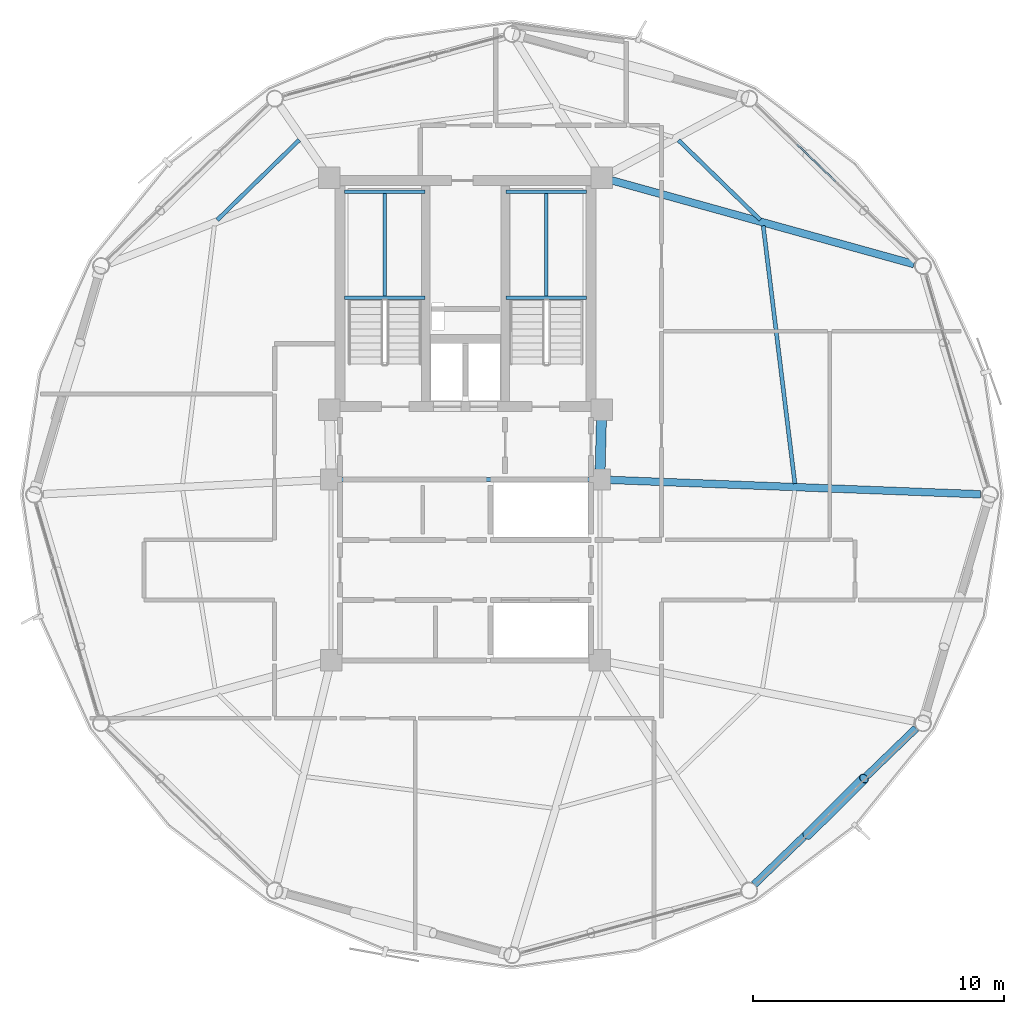
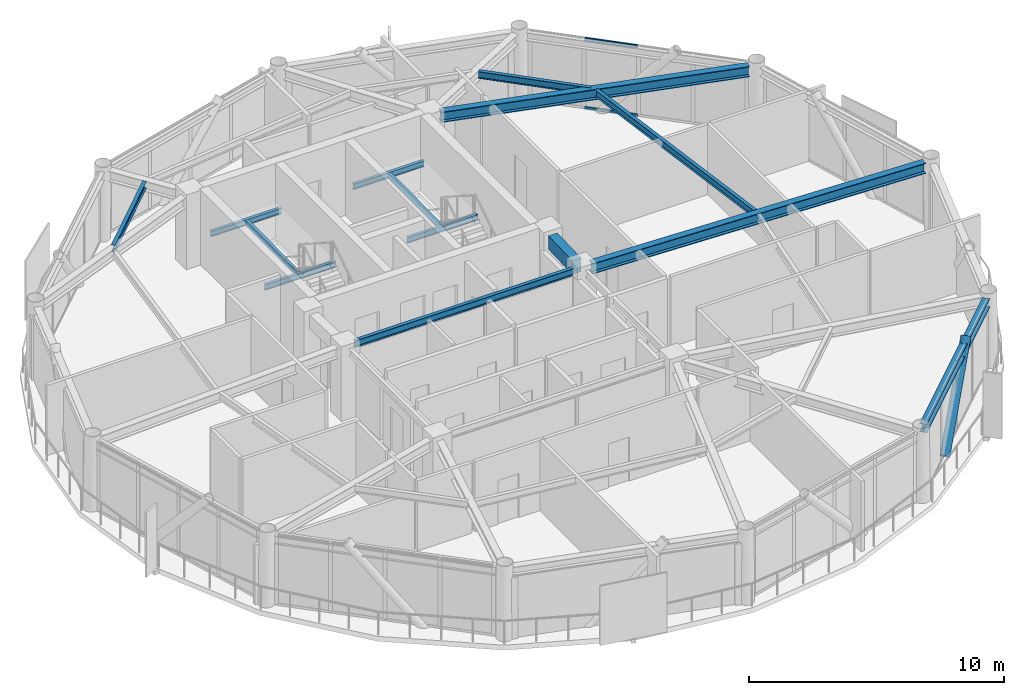
# One storey, part 13 of 26: 14 beams, 3 members, 1 element without a shape of its own.
"""IFC4 building model written with IfcOpenShell, lengths in metres."""

from ifc_helpers import new_model, si_unit, direction, frame, origin, origin_2d, place, context, subcontext, project, spatial, rectangle, hollow_rectangle, hollow_circle, i_section, extrude, material, layer, layer_set, material_profile, profile_set, type_object, element, aggregate, save


model = new_model("IFC4")

# Units and contexts
model_context = context("Model", 3, precision=1e-05, world=origin(), true_north=direction((0.0, 1.0)))
body_context = subcontext(model_context, "Body", "Model", "MODEL_VIEW")
ifc_project = project(units=[si_unit("LENGTHUNIT", "METRE"), si_unit("AREAUNIT", "SQUARE_METRE"), si_unit("VOLUMEUNIT", "CUBIC_METRE"), si_unit("PLANEANGLEUNIT", "RADIAN"), si_unit("MASSUNIT", "GRAM", prefix="KILO")], contexts=[model_context])

# Site, building, storey
site_placement = place(None, origin())
site = spatial("IfcSite", under=ifc_project, at=site_placement, CompositionType="ELEMENT")
building_placement = place(site_placement, origin())
building = spatial("IfcBuilding", under=site, at=building_placement, Name="Varnakorn Sky Granary", CompositionType="ELEMENT")
storey_placement = place(building_placement, frame((0.0, 0.0, 218.39990234375)))
storey = spatial("IfcBuildingStorey", under=building, at=storey_placement, Name="L55", CompositionType="ELEMENT", Elevation=218.39990234375)

# Beams
ifc_material_1 = material(Name="Concrete C50/60", Category="concrete")
ifc_material_profile_1 = material_profile(ifc_material_1, rectangle(XDim=0.39990234375, YDim=0.64990234375, at=origin_2d()), Name="RC 400x650")
ifc_profile_set_1 = profile_set([ifc_material_profile_1], Name="Concrete C50/60")
beam_type_1 = type_object("IfcBeamType", Name="BM-LIN-650", PredefinedType="LINTEL", material=ifc_profile_set_1)
beam_1_placement = place(storey_placement, frame((8.409912109375, 2.97509765625, 3.03515625), z_axis=(-0.025270737467, -0.99968064392, 0.0), x_axis=(0.99968064392, -0.025270737467, 0.0)))
element("IfcBeam", 1, at=beam_1_placement, inside=storey, type_object=beam_type_1, Name="Core Spine Framing Beam 2 L55", PredefinedType="LINTEL", context=body_context, shape_type="SweptSolid", body=[
    extrude(rectangle(XDim=0.39990234375, YDim=0.64990234375, at=origin_2d()), origin(), (0.0, 0.0, 1.0), 1.970947265625),
])
ifc_material_2 = material(Name="Steel S355JR", Category="steel")
ifc_material_profile_2 = material_profile(ifc_material_2, i_section(OverallWidth=0.135009765625, OverallDepth=0.27001953125, WebThickness=0.006591796875, FlangeThickness=0.01025390625, at=origin_2d()), Name="IPE 270")
ifc_profile_set_2 = profile_set([ifc_material_profile_2], Name="Steel S355JR")
beam_type_2 = type_object("IfcBeamType", Name="BM-LND-270", PredefinedType="BEAM", material=ifc_profile_set_2)
for number, where, z_axis, x_axis, name in (
    (2, (-1.820068359375, 7.840087890625, 1.465087890625), (1.0, 0.0, 0.0), (0.0, 1.0, 0.0), "Stair ST-1 Landing Trimmer Beam A L55-1"),
    (3, (-1.820068359375, 12.06005859375, 1.465087890625), (1.0, 0.0, 0.0), (0.0, 1.0, 0.0), "Stair ST-1 Landing Trimmer Beam B L55-1"),
):
    element("IfcBeam", number, at=place(storey_placement, frame(where, z_axis=z_axis, x_axis=x_axis)), inside=storey, type_object=beam_type_2, Name=name, PredefinedType="BEAM", context=body_context, shape_type="SweptSolid", body=[
        extrude(i_section(OverallWidth=0.135009765625, OverallDepth=0.27001953125, WebThickness=0.006591796875, FlangeThickness=0.01025390625, at=origin_2d()), origin(), (0.0, 0.0, 1.0), 3.199951171875),
    ])
beam_2_placement = place(storey_placement, frame((-0.219970703125, 7.840087890625, 1.465087890625), z_axis=(0.0, 1.0, 0.0), x_axis=(-1.0, 0.0, 0.0)))
element("IfcBeam", 4, at=beam_2_placement, inside=storey, type_object=beam_type_2, Name="Stair ST-1 Landing Cross Beam C L55-1", PredefinedType="BEAM", context=body_context, shape_type="SweptSolid", body=[
    extrude(i_section(OverallWidth=0.135009765625, OverallDepth=0.27001953125, WebThickness=0.006591796875, FlangeThickness=0.01025390625, at=origin_2d()), origin(), (0.0, 0.0, 1.0), 4.219970703125),
])
for number, where, z_axis, x_axis, name in (
    (5, (4.6201171875, 7.840087890625, 1.465087890625), (1.0, 0.0, 0.0), (0.0, 1.0, 0.0), "Stair ST-2 Landing Trimmer Beam A L55-1"),
    (6, (4.6201171875, 12.06005859375, 1.465087890625), (1.0, 0.0, 0.0), (0.0, 1.0, 0.0), "Stair ST-2 Landing Trimmer Beam B L55-1"),
):
    element("IfcBeam", number, at=place(storey_placement, frame(where, z_axis=z_axis, x_axis=x_axis)), inside=storey, type_object=beam_type_2, Name=name, PredefinedType="BEAM", context=body_context, shape_type="SweptSolid", body=[
        extrude(i_section(OverallWidth=0.135009765625, OverallDepth=0.27001953125, WebThickness=0.006591796875, FlangeThickness=0.01025390625, at=origin_2d()), origin(), (0.0, 0.0, 1.0), 3.199951171875),
    ])
beam_3_placement = place(storey_placement, frame((6.219970703125, 7.840087890625, 1.465087890625), z_axis=(0.0, 1.0, 0.0), x_axis=(-1.0, 0.0, 0.0)))
element("IfcBeam", 7, at=beam_3_placement, inside=storey, type_object=beam_type_2, Name="Stair ST-2 Landing Cross Beam C L55-1", PredefinedType="BEAM", context=body_context, shape_type="SweptSolid", body=[
    extrude(i_section(OverallWidth=0.135009765625, OverallDepth=0.27001953125, WebThickness=0.006591796875, FlangeThickness=0.01025390625, at=origin_2d()), origin(), (0.0, 0.0, 1.0), 4.219970703125),
])
ifc_material_profile_3 = material_profile(ifc_material_2, i_section(OverallWidth=0.300048828125, OverallDepth=0.5, WebThickness=0.014404296875, FlangeThickness=0.028076171875, at=origin_2d()), Name="HE 500 B")
ifc_profile_set_3 = profile_set([ifc_material_profile_3], Name="Steel S355JR")
beam_type_3 = type_object("IfcBeamType", Name="BM-RAD-Z4", PredefinedType="BEAM", material=ifc_profile_set_3)
beam_4_placement = place(storey_placement, frame((8.754638671875, 0.584228515625, 3.110107421875), z_axis=(0.999248809948, -0.038753268476, 0.0), x_axis=(0.038753268476, 0.999248809948, 0.0)))
element("IfcBeam", 8, at=beam_4_placement, inside=storey, type_object=beam_type_3, Name="Radial Floor Girder RG01 L55", PredefinedType="BEAM", context=body_context, shape_type="SweptSolid", body=[
    extrude(i_section(OverallWidth=0.300048828125, OverallDepth=0.5, WebThickness=0.014404296875, FlangeThickness=0.028076171875, at=origin_2d()), origin(), (0.0, 0.0, 1.0), 14.760498046875),
])
beam_5_placement = place(storey_placement, frame((8.810302734375, 12.51171875, 3.110107421875), z_axis=(0.963647059059, -0.26717849009, 0.0), x_axis=(0.26717849009, 0.963647059059, 0.0)))
element("IfcBeam", 9, at=beam_5_placement, inside=storey, type_object=beam_type_3, Name="Radial Floor Girder RG02 L55", PredefinedType="BEAM", context=body_context, shape_type="SweptSolid", body=[
    extrude(i_section(OverallWidth=0.300048828125, OverallDepth=0.5, WebThickness=0.014404296875, FlangeThickness=0.028076171875, at=origin_2d()), origin(), (0.0, 0.0, 1.0), 12.501220703125),
])
ifc_material_profile_4 = material_profile(ifc_material_2, i_section(OverallWidth=0.159912109375, OverallDepth=0.330078125, WebThickness=0.007568359375, FlangeThickness=0.011474609375, at=origin_2d()), Name="IPE 330")
ifc_profile_set_4 = profile_set([ifc_material_profile_4], Name="Steel S355JR")
beam_type_4 = type_object("IfcBeamType", Name="BM-SEC-Z4", PredefinedType="BEAM", material=ifc_profile_set_4)
beam_6_placement = place(storey_placement, frame((16.1123046875, 0.437255859375, 3.195068359375), z_axis=(-0.121965959028, 0.992534283961, 0.0), x_axis=(-0.992534283961, -0.121965959028, 0.0)))
element("IfcBeam", 10, at=beam_6_placement, inside=storey, type_object=beam_type_4, Name="Secondary Floor Chord Beam MSB01 L55", PredefinedType="BEAM", context=body_context, shape_type="SweptSolid", body=[
    extrude(i_section(OverallWidth=0.159912109375, OverallDepth=0.330078125, WebThickness=0.007568359375, FlangeThickness=0.011474609375, at=origin_2d()), origin(), (0.0, 0.0, 1.0), 10.3427734375),
])
beam_7_placement = place(storey_placement, frame((14.7333984375, 10.939453125, 3.195068359375), z_axis=(-0.716516496676, 0.697570147004, 0.0), x_axis=(-0.697570147004, -0.716516496676, 0.0)))
element("IfcBeam", 11, at=beam_7_placement, inside=storey, type_object=beam_type_4, Name="Secondary Floor Chord Beam MSB02 L55", PredefinedType="BEAM", context=body_context, shape_type="SweptSolid", body=[
    extrude(i_section(OverallWidth=0.159912109375, OverallDepth=0.330078125, WebThickness=0.007568359375, FlangeThickness=0.011474609375, at=origin_2d()), origin(), (0.0, 0.0, 1.0), 4.535888671875),
])
beam_8_placement = place(storey_placement, frame((-3.619140625, 14.119384765625, 3.195068359375), z_axis=(-0.715675528566, -0.698432915756, 0.0), x_axis=(0.698432915756, -0.715675528566, 0.0)))
element("IfcBeam", 12, at=beam_8_placement, inside=storey, type_object=beam_type_4, Name="Secondary Floor Chord Beam MSB05 L55", PredefinedType="BEAM", context=body_context, shape_type="SweptSolid", body=[
    extrude(i_section(OverallWidth=0.159912109375, OverallDepth=0.330078125, WebThickness=0.007568359375, FlangeThickness=0.011474609375, at=origin_2d()), origin(), (0.0, 0.0, 1.0), 4.559326171875),
])
beam_9_placement = place(storey_placement, frame((-1.945068359375, 0.60009765625, 3.195068359375), z_axis=(1.0, 0.0, 0.0), x_axis=(0.0, 1.0, 0.0)))
element("IfcBeam", 13, at=beam_9_placement, inside=storey, type_object=beam_type_4, Name="Core Spine Framing Beam 5 L55", PredefinedType="BEAM", context=body_context, shape_type="SweptSolid", body=[
    extrude(i_section(OverallWidth=0.159912109375, OverallDepth=0.330078125, WebThickness=0.007568359375, FlangeThickness=0.011474609375, at=origin_2d()), origin(), (0.0, 0.0, 1.0), 9.89013671875),
])
ifc_material_profile_5 = material_profile(ifc_material_2, i_section(OverallWidth=0.300048828125, OverallDepth=0.39990234375, WebThickness=0.013427734375, FlangeThickness=0.02392578125, at=origin_2d()), Name="HE 400 B")
ifc_profile_set_5 = profile_set([ifc_material_profile_5], Name="Steel S355JR")
beam_type_5 = type_object("IfcBeamType", Name="BM-SPD-Z4", PredefinedType="SPANDREL", material=ifc_profile_set_5)
beam_10_placement = place(storey_placement, frame((14.49365234375, -15.521240234375, 3.16015625), z_axis=(0.719583331442, 0.694406098124, 0.0), x_axis=(-0.694406098124, 0.719583331442, 0.0)))
element("IfcBeam", 14, at=beam_10_placement, inside=storey, type_object=beam_type_5, Name="Perimeter Spandrel Ring Beam RB11 L55", PredefinedType="SPANDREL", context=body_context, shape_type="SweptSolid", body=[
    extrude(i_section(OverallWidth=0.300048828125, OverallDepth=0.39990234375, WebThickness=0.013427734375, FlangeThickness=0.02392578125, at=origin_2d()), origin(), (0.0, 0.0, 1.0), 8.9501953125),
])

# Curtain wall, members
ifc_material_3 = material(Name="Anodised Bronze Aluminium Alloy 6063-T6", Category="aluminium")
ifc_layer = layer(ifc_material_3, 0.169921875, Name="Anodised Bronze Aluminium Alloy 6063-T6")
ifc_layer_set = layer_set([ifc_layer], Name="Anodised Bronze Aluminium Alloy 6063-T6")
curtain_wall_type = type_object("IfcCurtainWallType", Name="CW-LAB-1", PredefinedType="USERDEFINED", material=ifc_layer_set)
curtain_wall_placement = place(storey_placement, origin())
curtain_wall = element("IfcCurtainWall", 15, at=curtain_wall_placement, inside=storey, type_object=curtain_wall_type, Name="Unitised Curtain Wall CW5 CW-L55-B02", ObjectType="CURTAIN WALL", PredefinedType="USERDEFINED")
ifc_material_profile_6 = material_profile(ifc_material_3, hollow_rectangle(XDim=0.070068359375, YDim=0.139892578125, WallThickness=0.00341796875, at=origin_2d()), Name="ALU TRAN 70x140")
ifc_profile_set_6 = profile_set([ifc_material_profile_6], Name="Anodised Bronze Aluminium Alloy 6063-T6")
member_type_1 = type_object("IfcMemberType", Name="CW-LAB-1-TRAN", PredefinedType="USERDEFINED", material=ifc_profile_set_6)
member_1_placement = place(storey_placement, frame((16.194580078125, 13.9453125, 0.03515625), z_axis=(0.720151420341, -0.693816929586, 0.0), x_axis=(0.693816929586, 0.720151420341, 0.0)))
member_1 = element("IfcMember", 16, at=member_1_placement, type_object=member_type_1, Name="CW5 transom 2.1", ObjectType="TRANSOM", PredefinedType="USERDEFINED", context=body_context, shape_type="SweptSolid", body=[
    extrude(hollow_rectangle(XDim=0.070068359375, YDim=0.139892578125, WallThickness=0.00341796875, at=origin_2d()), origin(), (0.0, 0.0, 1.0), 2.1416015625),
])
member_2_placement = place(storey_placement, frame((16.194580078125, 13.9453125, 3.3251953125), z_axis=(0.720151420341, -0.693816929586, 0.0), x_axis=(0.693816929586, 0.720151420341, 0.0)))
member_2 = element("IfcMember", 17, at=member_2_placement, type_object=member_type_1, Name="CW5 transom 2.2", ObjectType="TRANSOM", PredefinedType="USERDEFINED", context=body_context, shape_type="SweptSolid", body=[
    extrude(hollow_rectangle(XDim=0.070068359375, YDim=0.139892578125, WallThickness=0.00341796875, at=origin_2d()), origin(), (0.0, 0.0, 1.0), 2.1416015625),
])
aggregate(curtain_wall, [member_1, member_2])

# Member
ifc_material_4 = material(Name="Steel S460M", Category="steel")
ifc_material_profile_7 = material_profile(ifc_material_4, hollow_circle(Radius=0.203125, WallThickness=0.01611328125, at=origin_2d()), Name="CHS 406.4x16")
ifc_profile_set_7 = profile_set([ifc_material_profile_7], Name="Steel S460M")
member_type_2 = type_object("IfcMemberType", Name="MB-DIAG-T4", PredefinedType="BRACE", material=ifc_profile_set_7)
member_3_placement = place(storey_placement, frame((16.607177734375, -13.5478515625, -0.1298828125), z_axis=(0.468075039278, 0.465440565629, 0.751179630629), x_axis=(-0.705108447877, 0.709099482958, 0.0)))
element("IfcMember", 18, at=member_3_placement, inside=storey, type_object=member_type_2, Name="Perimeter CHS Diagrid Brace DG11 L55", PredefinedType="BRACE", context=body_context, shape_type="SweptSolid", body=[
    extrude(hollow_circle(Radius=0.203125, WallThickness=0.01611328125, at=origin_2d()), origin(), (0.0, 0.0, 1.0), 4.81884765625),
])

save(model, "model.ifc")
